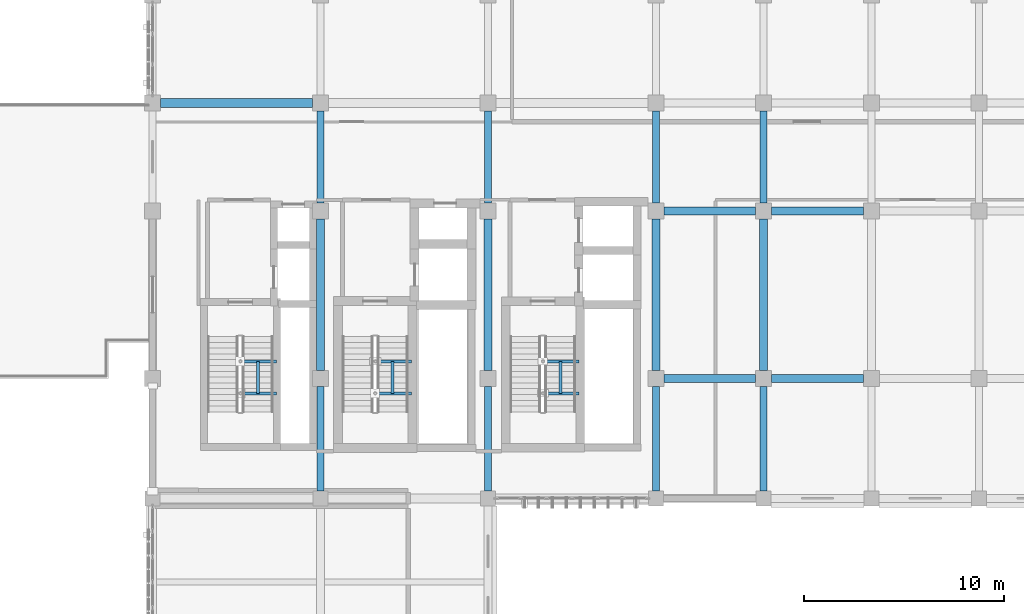
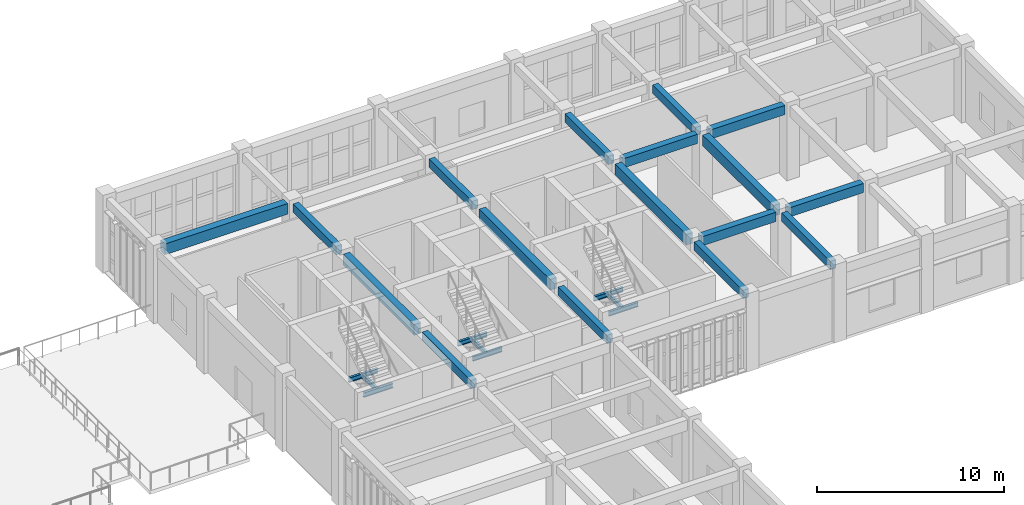
# One storey, part 50 of 93: 26 beams.
"""IFC4 building model written with IfcOpenShell, lengths in metres."""

from ifc_helpers import new_model, si_unit, direction, frame, origin, origin_2d, place, context, subcontext, project, spatial, rectangle, i_section, extrude, material, material_profile, profile_set, type_object, element, save


model = new_model("IFC4")

# Units and contexts
model_context = context("Model", 3, precision=1e-05, world=origin(), true_north=direction((0.0, 1.0)))
body_context = subcontext(model_context, "Body", "Model", "MODEL_VIEW")
ifc_project = project(units=[si_unit("LENGTHUNIT", "METRE"), si_unit("AREAUNIT", "SQUARE_METRE"), si_unit("VOLUMEUNIT", "CUBIC_METRE"), si_unit("PLANEANGLEUNIT", "RADIAN"), si_unit("MASSUNIT", "GRAM", prefix="KILO")], contexts=[model_context])

# Site, building, storey
site_placement = place(None, origin())
site = spatial("IfcSite", under=ifc_project, at=site_placement, CompositionType="ELEMENT")
building_placement = place(site_placement, origin())
building = spatial("IfcBuilding", under=site, at=building_placement, Name="Krzemoval Escarpment Law Courts", CompositionType="ELEMENT")
storey_placement = place(building_placement, frame((0.0, 0.0, 10.199951171875)))
storey = spatial("IfcBuildingStorey", under=building, at=storey_placement, Name="L02", CompositionType="ELEMENT", Elevation=10.199951171875)

# Beams
ifc_material_1 = material(Name="Concrete C40/50", Category="concrete")
ifc_material_profile_1 = material_profile(ifc_material_1, rectangle(XDim=0.35009765625, YDim=0.550048828125, at=origin_2d()), Name="RCB 350x550")
ifc_profile_set_1 = profile_set([ifc_material_profile_1], Name="Concrete C40/50")
beam_type_1 = type_object("IfcBeamType", Name="BM-RC-350x550", PredefinedType="BEAM", material=ifc_profile_set_1)
beam_1_placement = place(storey_placement, frame((134.39990234375, 93.97509765625, 4.545166015625), z_axis=(0.0, 1.0, 0.0), x_axis=(-1.0, 0.0, 0.0)))
element("IfcBeam", 1, at=beam_1_placement, inside=storey, type_object=beam_type_1, Name="Beam FG-L02-1972", PredefinedType="BEAM", context=body_context, shape_type="SweptSolid", body=[
    extrude(rectangle(XDim=0.35009765625, YDim=0.550048828125, at=origin_2d()), origin(), (0.0, 0.0, 1.0), 5.224853515625),
])
beam_2_placement = place(storey_placement, frame((134.39990234375, 108.39990234375, 4.545166015625), z_axis=(0.0, 1.0, 0.0), x_axis=(-1.0, 0.0, 0.0)))
element("IfcBeam", 2, at=beam_2_placement, inside=storey, type_object=beam_type_1, Name="Beam FG-L02-1974", PredefinedType="BEAM", context=body_context, shape_type="SweptSolid", body=[
    extrude(rectangle(XDim=0.35009765625, YDim=0.550048828125, at=origin_2d()), origin(), (0.0, 0.0, 1.0), 4.60009765625),
])
beam_3_placement = place(storey_placement, frame((142.800048828125, 93.97509765625, 4.545166015625), z_axis=(0.0, 1.0, 0.0), x_axis=(-1.0, 0.0, 0.0)))
element("IfcBeam", 3, at=beam_3_placement, inside=storey, type_object=beam_type_1, Name="Beam FG-L02-1983", PredefinedType="BEAM", context=body_context, shape_type="SweptSolid", body=[
    extrude(rectangle(XDim=0.35009765625, YDim=0.550048828125, at=origin_2d()), origin(), (0.0, 0.0, 1.0), 5.224853515625),
])
beam_4_placement = place(storey_placement, frame((142.800048828125, 108.39990234375, 4.545166015625), z_axis=(0.0, 1.0, 0.0), x_axis=(-1.0, 0.0, 0.0)))
element("IfcBeam", 4, at=beam_4_placement, inside=storey, type_object=beam_type_1, Name="Beam FG-L02-1985", PredefinedType="BEAM", context=body_context, shape_type="SweptSolid", body=[
    extrude(rectangle(XDim=0.35009765625, YDim=0.550048828125, at=origin_2d()), origin(), (0.0, 0.0, 1.0), 4.60009765625),
])
beam_5_placement = place(storey_placement, frame((151.199951171875, 93.97509765625, 4.545166015625), z_axis=(0.0, 1.0, 0.0), x_axis=(-1.0, 0.0, 0.0)))
element("IfcBeam", 5, at=beam_5_placement, inside=storey, type_object=beam_type_1, Name="Beam FG-L02-1991", PredefinedType="BEAM", context=body_context, shape_type="SweptSolid", body=[
    extrude(rectangle(XDim=0.35009765625, YDim=0.550048828125, at=origin_2d()), origin(), (0.0, 0.0, 1.0), 5.224853515625),
])
beam_6_placement = place(storey_placement, frame((151.199951171875, 108.39990234375, 4.545166015625), z_axis=(0.0, 1.0, 0.0), x_axis=(-1.0, 0.0, 0.0)))
element("IfcBeam", 6, at=beam_6_placement, inside=storey, type_object=beam_type_1, Name="Beam FG-L02-1993", PredefinedType="BEAM", context=body_context, shape_type="SweptSolid", body=[
    extrude(rectangle(XDim=0.35009765625, YDim=0.550048828125, at=origin_2d()), origin(), (0.0, 0.0, 1.0), 4.60009765625),
])
beam_7_placement = place(storey_placement, frame((156.60009765625, 93.97509765625, 4.545166015625), z_axis=(0.0, 1.0, 0.0), x_axis=(-1.0, 0.0, 0.0)))
element("IfcBeam", 7, at=beam_7_placement, inside=storey, type_object=beam_type_1, Name="Beam FG-L02-1995", PredefinedType="BEAM", context=body_context, shape_type="SweptSolid", body=[
    extrude(rectangle(XDim=0.35009765625, YDim=0.550048828125, at=origin_2d()), origin(), (0.0, 0.0, 1.0), 5.224853515625),
])
beam_8_placement = place(storey_placement, frame((156.60009765625, 108.39990234375, 4.545166015625), z_axis=(0.0, 1.0, 0.0), x_axis=(-1.0, 0.0, 0.0)))
element("IfcBeam", 8, at=beam_8_placement, inside=storey, type_object=beam_type_1, Name="Beam FG-L02-1997", PredefinedType="BEAM", context=body_context, shape_type="SweptSolid", body=[
    extrude(rectangle(XDim=0.35009765625, YDim=0.550048828125, at=origin_2d()), origin(), (0.0, 0.0, 1.0), 4.60009765625),
])
ifc_material_2 = material(Name="Concrete C40/50", Category="concrete")
ifc_material_profile_2 = material_profile(ifc_material_2, rectangle(XDim=0.39990234375, YDim=0.60009765625, at=origin_2d()), Name="RCB 400x600")
ifc_profile_set_2 = profile_set([ifc_material_profile_2], Name="Concrete C40/50")
beam_type_2 = type_object("IfcBeamType", Name="BM-RC-400x600", PredefinedType="BEAM", material=ifc_profile_set_2)
beam_9_placement = place(storey_placement, frame((151.60009765625, 99.60009765625, 4.52001953125), z_axis=(1.0, 0.0, 0.0), x_axis=(0.0, 1.0, 0.0)))
element("IfcBeam", 9, at=beam_9_placement, inside=storey, type_object=beam_type_2, Name="Beam FG-L02-1823", PredefinedType="BEAM", context=body_context, shape_type="SweptSolid", body=[
    extrude(rectangle(XDim=0.39990234375, YDim=0.60009765625, at=origin_2d()), origin(), (0.0, 0.0, 1.0), 4.599853515625),
])
beam_10_placement = place(storey_placement, frame((157.0, 99.60009765625, 4.52001953125), z_axis=(1.0, 0.0, 0.0), x_axis=(0.0, 1.0, 0.0)))
element("IfcBeam", 10, at=beam_10_placement, inside=storey, type_object=beam_type_2, Name="Beam FG-L02-1824", PredefinedType="BEAM", context=body_context, shape_type="SweptSolid", body=[
    extrude(rectangle(XDim=0.39990234375, YDim=0.60009765625, at=origin_2d()), origin(), (0.0, 0.0, 1.0), 4.60009765625),
])
beam_11_placement = place(storey_placement, frame((151.60009765625, 108.0, 4.52001953125), z_axis=(1.0, 0.0, 0.0), x_axis=(0.0, 1.0, 0.0)))
element("IfcBeam", 11, at=beam_11_placement, inside=storey, type_object=beam_type_2, Name="Beam FG-L02-1831", PredefinedType="BEAM", context=body_context, shape_type="SweptSolid", body=[
    extrude(rectangle(XDim=0.39990234375, YDim=0.60009765625, at=origin_2d()), origin(), (0.0, 0.0, 1.0), 4.599853515625),
])
beam_12_placement = place(storey_placement, frame((157.0, 108.0, 4.52001953125), z_axis=(1.0, 0.0, 0.0), x_axis=(0.0, 1.0, 0.0)))
element("IfcBeam", 12, at=beam_12_placement, inside=storey, type_object=beam_type_2, Name="Beam FG-L02-1832", PredefinedType="BEAM", context=body_context, shape_type="SweptSolid", body=[
    extrude(rectangle(XDim=0.39990234375, YDim=0.60009765625, at=origin_2d()), origin(), (0.0, 0.0, 1.0), 4.60009765625),
])
ifc_material_3 = material(Name="Concrete C40/50", Category="concrete")
ifc_material_profile_3 = material_profile(ifc_material_3, rectangle(XDim=0.39990234375, YDim=0.699951171875, at=origin_2d()), Name="RCB 400x700")
ifc_profile_set_3 = profile_set([ifc_material_profile_3], Name="Concrete C40/50")
beam_type_3 = type_object("IfcBeamType", Name="BM-RC-400x700", PredefinedType="BEAM", material=ifc_profile_set_3)
for number, where, z_axis, x_axis, name in (
    (13, (134.39990234375, 100.0, 4.469970703125), (0.0, 1.0, 0.0), (-1.0, 0.0, 0.0), "Beam FG-L02-1973"),
    (14, (142.800048828125, 100.0, 4.469970703125), (0.0, 1.0, 0.0), (-1.0, 0.0, 0.0), "Beam FG-L02-1984"),
    (15, (151.199951171875, 100.0, 4.469970703125), (0.0, 1.0, 0.0), (-1.0, 0.0, 0.0), "Beam FG-L02-1992"),
    (16, (156.60009765625, 100.0, 4.469970703125), (0.0, 1.0, 0.0), (-1.0, 0.0, 0.0), "Beam FG-L02-1996"),
):
    element("IfcBeam", number, at=place(storey_placement, frame(where, z_axis=z_axis, x_axis=x_axis)), inside=storey, type_object=beam_type_3, Name=name, PredefinedType="BEAM", context=body_context, shape_type="SweptSolid", body=[
        extrude(rectangle(XDim=0.39990234375, YDim=0.699951171875, at=origin_2d()), origin(), (0.0, 0.0, 1.0), 7.60009765625),
    ])
ifc_material_4 = material(Name="Concrete C40/50", Category="concrete")
ifc_material_profile_4 = material_profile(ifc_material_4, rectangle(XDim=0.449951171875, YDim=0.699951171875, at=origin_2d()), Name="RCB 450x700")
ifc_profile_set_4 = profile_set([ifc_material_profile_4], Name="Concrete C40/50")
beam_type_4 = type_object("IfcBeamType", Name="BM-RC-450x700", PredefinedType="BEAM", material=ifc_profile_set_4)
beam_13_placement = place(storey_placement, frame((126.39990234375, 113.39990234375, 4.469970703125), z_axis=(1.0, 0.0, 0.0), x_axis=(0.0, 1.0, 0.0)))
element("IfcBeam", 17, at=beam_13_placement, inside=storey, type_object=beam_type_4, Name="Beam FG-L02-1839", PredefinedType="BEAM", context=body_context, shape_type="SweptSolid", body=[
    extrude(rectangle(XDim=0.449951171875, YDim=0.699951171875, at=origin_2d()), origin(), (0.0, 0.0, 1.0), 7.60009765625),
])
ifc_material_5 = material(Name="Steel S355", Category="steel")
ifc_material_profile_5 = material_profile(ifc_material_5, i_section(OverallWidth=0.14990234375, OverallDepth=0.300048828125, WebThickness=0.007080078125, FlangeThickness=0.0107421875, at=origin_2d()), Name="IPE 300")
ifc_profile_set_5 = profile_set([ifc_material_profile_5], Name="Steel S355")
beam_type_5 = type_object("IfcBeamType", Name="JST-S355-IPE300", PredefinedType="JOIST", material=ifc_profile_set_5)
for number, where, z_axis, x_axis, name in (
    (18, (130.39990234375, 98.860107421875, 2.27001953125), (1.0, 0.0, 0.0), (0.0, 1.0, 0.0), "Stair Well Crosshead SLHW-C1-L02-1"),
    (19, (130.39990234375, 100.4599609375, 2.27001953125), (1.0, 0.0, 0.0), (0.0, 1.0, 0.0), "Stair Well Crosshead SLHW-C1-L02-2"),
):
    element("IfcBeam", number, at=place(storey_placement, frame(where, z_axis=z_axis, x_axis=x_axis)), inside=storey, type_object=beam_type_5, Name=name, PredefinedType="JOIST", context=body_context, shape_type="SweptSolid", body=[
        extrude(i_section(OverallWidth=0.14990234375, OverallDepth=0.300048828125, WebThickness=0.007080078125, FlangeThickness=0.0107421875, at=origin_2d()), origin(), (0.0, 0.0, 1.0), 1.81005859375),
    ])
beam_14_placement = place(storey_placement, frame((131.27490234375, 98.860107421875, 2.27001953125), z_axis=(0.0, 1.0, 0.0), x_axis=(-1.0, 0.0, 0.0)))
element("IfcBeam", 20, at=beam_14_placement, inside=storey, type_object=beam_type_5, Name="Stair Flight Support Stringer SLTW-C1-L02", PredefinedType="JOIST", context=body_context, shape_type="SweptSolid", body=[
    extrude(i_section(OverallWidth=0.14990234375, OverallDepth=0.300048828125, WebThickness=0.007080078125, FlangeThickness=0.0107421875, at=origin_2d()), origin(), (0.0, 0.0, 1.0), 1.599853515625),
])
for number, where, z_axis, x_axis, name in (
    (21, (137.14990234375, 98.860107421875, 2.27001953125), (1.0, 0.0, 0.0), (0.0, 1.0, 0.0), "Stair Well Crosshead SLHW-C2-L02-1"),
    (22, (137.14990234375, 100.4599609375, 2.27001953125), (1.0, 0.0, 0.0), (0.0, 1.0, 0.0), "Stair Well Crosshead SLHW-C2-L02-2"),
):
    element("IfcBeam", number, at=place(storey_placement, frame(where, z_axis=z_axis, x_axis=x_axis)), inside=storey, type_object=beam_type_5, Name=name, PredefinedType="JOIST", context=body_context, shape_type="SweptSolid", body=[
        extrude(i_section(OverallWidth=0.14990234375, OverallDepth=0.300048828125, WebThickness=0.007080078125, FlangeThickness=0.0107421875, at=origin_2d()), origin(), (0.0, 0.0, 1.0), 1.81005859375),
    ])
beam_15_placement = place(storey_placement, frame((138.02490234375, 98.860107421875, 2.27001953125), z_axis=(0.0, 1.0, 0.0), x_axis=(-1.0, 0.0, 0.0)))
element("IfcBeam", 23, at=beam_15_placement, inside=storey, type_object=beam_type_5, Name="Stair Flight Support Stringer SLTW-C2-L02", PredefinedType="JOIST", context=body_context, shape_type="SweptSolid", body=[
    extrude(i_section(OverallWidth=0.14990234375, OverallDepth=0.300048828125, WebThickness=0.007080078125, FlangeThickness=0.0107421875, at=origin_2d()), origin(), (0.0, 0.0, 1.0), 1.599853515625),
])
for number, where, z_axis, x_axis, name in (
    (24, (145.550048828125, 98.860107421875, 2.27001953125), (1.0, 0.0, 0.0), (0.0, 1.0, 0.0), "Stair Well Crosshead SLHW-C3-L02-1"),
    (25, (145.550048828125, 100.4599609375, 2.27001953125), (1.0, 0.0, 0.0), (0.0, 1.0, 0.0), "Stair Well Crosshead SLHW-C3-L02-2"),
):
    element("IfcBeam", number, at=place(storey_placement, frame(where, z_axis=z_axis, x_axis=x_axis)), inside=storey, type_object=beam_type_5, Name=name, PredefinedType="JOIST", context=body_context, shape_type="SweptSolid", body=[
        extrude(i_section(OverallWidth=0.14990234375, OverallDepth=0.300048828125, WebThickness=0.007080078125, FlangeThickness=0.0107421875, at=origin_2d()), origin(), (0.0, 0.0, 1.0), 1.81005859375),
    ])
beam_16_placement = place(storey_placement, frame((146.425048828125, 98.860107421875, 2.27001953125), z_axis=(0.0, 1.0, 0.0), x_axis=(-1.0, 0.0, 0.0)))
element("IfcBeam", 26, at=beam_16_placement, inside=storey, type_object=beam_type_5, Name="Stair Flight Support Stringer SLTW-C3-L02", PredefinedType="JOIST", context=body_context, shape_type="SweptSolid", body=[
    extrude(i_section(OverallWidth=0.14990234375, OverallDepth=0.300048828125, WebThickness=0.007080078125, FlangeThickness=0.0107421875, at=origin_2d()), origin(), (0.0, 0.0, 1.0), 1.599853515625),
])

save(model, "model.ifc")
